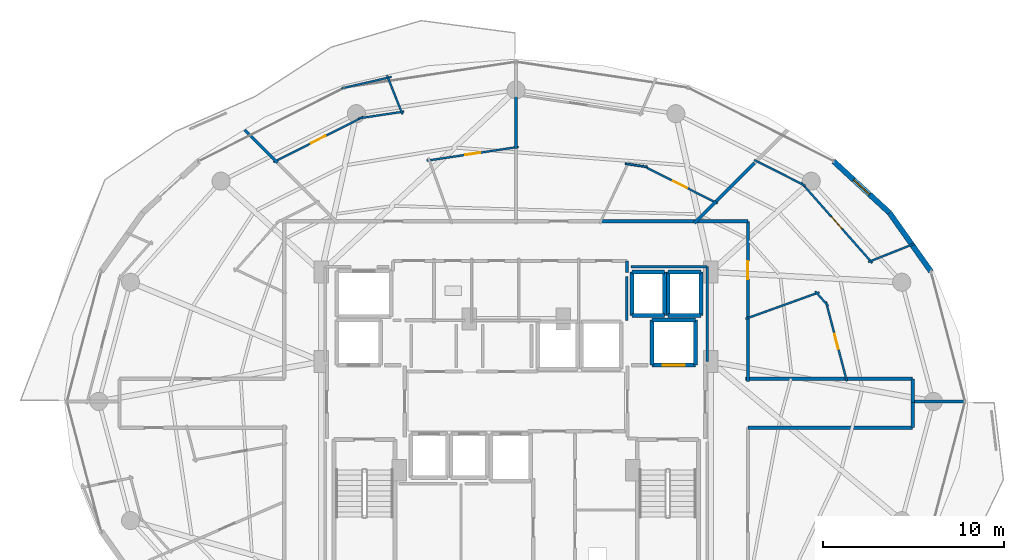
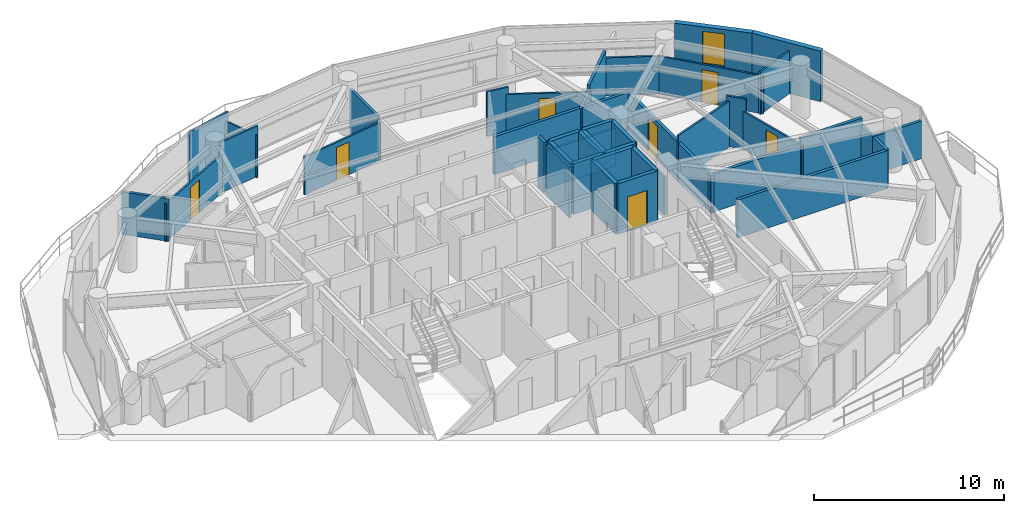
# One storey, part 26 of 31: 45 walls, 7 doors, 1 window, 8 openings.
"""IFC4 building model written with IfcOpenShell, lengths in metres."""

from ifc_helpers import new_model, si_unit, direction, frame, frame_2d, origin, place, context, subcontext, project, spatial, rectangle, extrude, material, layer, layer_set, type_object, element, fill, save


model = new_model("IFC4")

# Units and contexts
model_context = context("Model", 3, precision=1e-05, world=origin(), true_north=direction((0.0, 1.0)))
body_context = subcontext(model_context, "Body", "Model", "MODEL_VIEW")
ifc_project = project(units=[si_unit("LENGTHUNIT", "METRE"), si_unit("AREAUNIT", "SQUARE_METRE"), si_unit("VOLUMEUNIT", "CUBIC_METRE"), si_unit("PLANEANGLEUNIT", "RADIAN"), si_unit("MASSUNIT", "GRAM", prefix="KILO")], contexts=[model_context])

# Site, building, storey
site_placement = place(None, origin())
site = spatial("IfcSite", under=ifc_project, at=site_placement, CompositionType="ELEMENT")
building_placement = place(site_placement, origin())
building = spatial("IfcBuilding", under=site, at=building_placement, Name="Vorneva Point Tower", CompositionType="ELEMENT")
storey_placement = place(building_placement, frame((0.0, 0.0, 132.60009765625)))
storey = spatial("IfcBuildingStorey", under=building, at=storey_placement, Name="L35", CompositionType="ELEMENT", Elevation=132.60009765625)

# Wall, opening, door
ifc_material_1 = material(Name="Concrete B60 (C50/60)", Category="concrete")
ifc_layer_1 = layer(ifc_material_1, 0.5)
ifc_layer_set_1 = layer_set([ifc_layer_1], Name="Concrete B60 (C50/60)")
wall_type_1 = type_object("IfcWallType", Name="WL-CORE-500", PredefinedType="SHEAR", material=ifc_layer_set_1)
wall_1_placement = place(storey_placement, frame((45.5, 28.0, 0.0), z_axis=(0.0, 0.0, 1.0), x_axis=(1.0, 0.0, 0.0)))
wall_1 = element("IfcWall", 1, at=wall_1_placement, inside=storey, type_object=wall_type_1, Name="L35 Lift FFL2 Shaft Wall -Y", PredefinedType="SHEAR", context=body_context, shape_type="SweptSolid", body=[
    extrude(rectangle(XDim=2.39990234375, YDim=0.219970703125, at=frame_2d((1.199951171875, 0.0))), origin(), (0.0, 0.0, 1.0), 3.239990234375),
])
opening_1_placement = place(wall_1_placement, frame((0.60009765625, 0.0, 0.0)))
opening_1 = element("IfcOpeningElement", 2, at=opening_1_placement, cuts=wall_1, Name="Opening LD-02", PredefinedType="OPENING", context=body_context, shape_type="SweptSolid", body=[
    extrude(rectangle(XDim=1.199951171875, YDim=2.199951171875, at=frame_2d((0.60009765625, 1.10009765625))), frame((0.0, 0.125, 0.0), z_axis=(0.0, -1.0, 0.0), x_axis=(1.0, 0.0, 0.0)), (0.0, 0.0, 1.0), 0.249755859375),
])
ifc_material_2 = material(Name="Brushed stainless steel S304", Category="steel")
door_type_1 = type_object("IfcDoorType", Name="LD-FIRE-1200", OperationType="SLIDING_TO_LEFT", PredefinedType="DOOR", material=ifc_material_2)
door_1_placement = place(opening_1_placement, origin())
door_1 = element("IfcDoor", 3, at=door_1_placement, inside=storey, type_object=door_type_1, Name="L35 Lift FFL2 Sliding Landing Door", OperationType="SLIDING_TO_LEFT", OverallHeight=2.199951171875, OverallWidth=1.199951171875, PredefinedType="DOOR", context=body_context, shape_type="SweptSolid", body=[
    extrude(rectangle(XDim=1.199951171875, YDim=2.199951171875, at=frame_2d((0.60009765625, 1.10009765625))), frame((0.0, 0.02490234375, 0.0), z_axis=(0.0, -1.0, 0.0), x_axis=(1.0, 0.0, 0.0)), (0.0, 0.0, 1.0), 0.050048828125),
])
fill(opening_1, door_1)

# Walls
wall_2_placement = place(storey_placement, frame((47.89990234375, 28.0, 0.0), z_axis=(0.0, 0.0, 1.0), x_axis=(0.0, 1.0, 0.0)))
element("IfcWall", 4, at=wall_2_placement, inside=storey, type_object=wall_type_1, Name="L35 Lift FFL2 Shaft Wall +X", PredefinedType="SHEAR", context=body_context, shape_type="SweptSolid", body=[
    extrude(rectangle(XDim=2.5, YDim=0.219970703125, at=frame_2d((1.25, 0.0))), origin(), (0.0, 0.0, 1.0), 3.239990234375),
])
wall_3_placement = place(storey_placement, frame((47.89990234375, 30.5, 0.0), z_axis=(0.0, 0.0, 1.0), x_axis=(-1.0, 0.0, 0.0)))
element("IfcWall", 5, at=wall_3_placement, inside=storey, type_object=wall_type_1, Name="L35 Lift FFL2 Shaft Wall +Y", PredefinedType="SHEAR", context=body_context, shape_type="SweptSolid", body=[
    extrude(rectangle(XDim=2.39990234375, YDim=0.219970703125, at=frame_2d((1.199951171875, 0.0))), origin(), (0.0, 0.0, 1.0), 3.239990234375),
])
wall_4_placement = place(storey_placement, frame((45.5, 30.5, 0.0), z_axis=(0.0, 0.0, 1.0), x_axis=(0.0, -1.0, 0.0)))
element("IfcWall", 6, at=wall_4_placement, inside=storey, type_object=wall_type_1, Name="L35 Lift FFL2 Shaft Wall -X", PredefinedType="SHEAR", context=body_context, shape_type="SweptSolid", body=[
    extrude(rectangle(XDim=2.5, YDim=0.219970703125, at=frame_2d((1.25, 0.0))), origin(), (0.0, 0.0, 1.0), 3.239990234375),
])
ifc_material_3 = material(Name="Precast concrete B50 (C40/50)", Category="concrete")
ifc_layer_2 = layer(ifc_material_3, 0.300048828125)
ifc_layer_set_2 = layer_set([ifc_layer_2], Name="Precast concrete B50 (C40/50)")
wall_type_2 = type_object("IfcWallType", Name="WL-EXT-300", PredefinedType="STANDARD", material=ifc_layer_set_2)
wall_5_placement = place(storey_placement, frame((60.912109375, 33.17529296875, 0.0), z_axis=(0.0, 0.0, 1.0), x_axis=(-0.577269753207, 0.816553508371, 0.0)))
element("IfcWall", 7, at=wall_5_placement, inside=storey, type_object=wall_type_2, Name="L35 Pale-Metal Facade Spandrel Wall 02.1", PredefinedType="STANDARD", context=body_context, shape_type="SweptSolid", body=[
    extrude(rectangle(XDim=3.969970703125, YDim=0.300048828125, at=frame_2d((1.98486328125, 0.0))), origin(), (0.0, 0.0, 1.0), 3.239990234375),
])

# Wall, opening, window
wall_6_placement = place(storey_placement, frame((58.620361328125, 36.4169921875, 0.0), z_axis=(0.0, 0.0, 1.0), x_axis=(-0.735477154165, 0.677549522693, 0.0)))
wall_6 = element("IfcWall", 8, at=wall_6_placement, inside=storey, type_object=wall_type_2, Name="L35 Pale-Metal Facade Spandrel Wall 02.2", PredefinedType="STANDARD", context=body_context, shape_type="SweptSolid", body=[
    extrude(rectangle(XDim=4.193603515625, YDim=0.300048828125, at=frame_2d((2.0966796875, 0.0))), origin(), (0.0, 0.0, 1.0), 3.239990234375),
])
opening_2_placement = place(wall_6_placement, frame((1.496826171875, 0.0, 0.85009765625)))
opening_2 = element("IfcOpeningElement", 9, at=opening_2_placement, cuts=wall_6, Name="Opening W-04", PredefinedType="OPENING", context=body_context, shape_type="SweptSolid", body=[
    extrude(rectangle(XDim=1.199951171875, YDim=2.10009765625, at=frame_2d((0.60009765625, 1.050048828125))), frame((0.0, 0.1650390625, 0.0), z_axis=(0.0, -1.0, 0.0), x_axis=(1.0, 0.0, 0.0)), (0.0, 0.0, 1.0), 0.329833984375),
])
ifc_material_4 = material(Name="Double low-e laminated glass IGU", Category="glass")
window_type = type_object("IfcWindowType", Name="WN-RES-1200", PartitioningType="SINGLE_PANEL", PredefinedType="WINDOW", material=ifc_material_4)
window_placement = place(opening_2_placement, origin())
window = element("IfcWindow", 10, at=window_placement, inside=storey, type_object=window_type, Name="L35 Facade Window 02", OverallHeight=2.10009765625, OverallWidth=1.199951171875, PartitioningType="SINGLE_PANEL", PredefinedType="WINDOW", context=body_context, shape_type="SweptSolid", body=[
    extrude(rectangle(XDim=1.199951171875, YDim=2.10009765625, at=frame_2d((0.60009765625, 1.050048828125))), frame((0.0, 0.030029296875, 0.0), z_axis=(0.0, -1.0, 0.0), x_axis=(1.0, 0.0, 0.0)), (0.0, 0.0, 1.0), 0.06005859375),
])
fill(opening_2, window)

# Walls
ifc_material_5 = material(Name="Fire-rated acoustic gypsum stud partition", Category="gypsum")
ifc_layer_3 = layer(ifc_material_5, 0.110107421875)
ifc_layer_set_3 = layer_set([ifc_layer_3], Name="Fire-rated acoustic gypsum stud partition")
wall_type_3 = type_object("IfcWallType", Name="WL-PART-110", PredefinedType="PARTITIONING", material=ifc_layer_set_3)
wall_7_placement = place(storey_placement, frame((50.668212890625, 30.560546875, 0.0), z_axis=(0.0, 0.0, 1.0), x_axis=(0.94086224956, 0.33878935543, 0.0)))
element("IfcWall", 11, at=wall_7_placement, inside=storey, type_object=wall_type_3, Name="L35 Interior Partition 069", PredefinedType="PARTITIONING", context=body_context, shape_type="SweptSolid", body=[
    extrude(rectangle(XDim=4.32958984375, YDim=0.110107421875, at=frame_2d((2.164794921875, 0.0))), origin(), (0.0, 0.0, 1.0), 2.921875),
])
wall_8_placement = place(storey_placement, frame((54.517333984375, 32.0849609375, 0.0), z_axis=(0.0, 0.0, 1.0), x_axis=(0.661444121134, -0.749994449724, 0.0)))
element("IfcWall", 12, at=wall_8_placement, inside=storey, type_object=wall_type_3, Name="L35 Interior Partition 070", PredefinedType="PARTITIONING", context=body_context, shape_type="SweptSolid", body=[
    extrude(rectangle(XDim=1.091796875, YDim=0.110107421875, at=frame_2d((0.5458984375, 0.0))), origin(), (0.0, 0.0, 1.0), 3.239990234375),
])

# Wall, opening, door
wall_9_placement = place(storey_placement, frame((55.111328125, 31.50634765625, 0.0), z_axis=(0.0, 0.0, 1.0), x_axis=(0.254395386743, -0.96710029842, 0.0)))
wall_9 = element("IfcWall", 13, at=wall_9_placement, inside=storey, type_object=wall_type_3, Name="L35 Interior Partition 071", PredefinedType="PARTITIONING", context=body_context, shape_type="SweptSolid", body=[
    extrude(rectangle(XDim=4.541259765625, YDim=0.110107421875, at=frame_2d((2.2705078125, 0.0))), origin(), (0.0, 0.0, 1.0), 2.431884765625),
])
opening_3_placement = place(wall_9_placement, frame((1.845703125, 0.0, 0.0)))
opening_3 = element("IfcOpeningElement", 14, at=opening_3_placement, cuts=wall_9, Name="Opening ID-02", PredefinedType="OPENING", context=body_context, shape_type="SweptSolid", body=[
    extrude(rectangle(XDim=0.85009765625, YDim=2.10009765625, at=frame_2d((0.425048828125, 1.050048828125))), frame((0.0, 0.06982421875, 0.0), z_axis=(0.0, -1.0, 0.0), x_axis=(1.0, 0.0, 0.0)), (0.0, 0.0, 1.0), 0.139892578125),
])
ifc_material_6 = material(Name="Engineered oak fire-rated door leaf", Category="wood")
door_type_2 = type_object("IfcDoorType", Name="DR-BATH-850", OperationType="NOTDEFINED", PredefinedType="DOOR", material=ifc_material_6)
door_2_placement = place(opening_3_placement, origin())
door_2 = element("IfcDoor", 15, at=door_2_placement, inside=storey, type_object=door_type_2, Name="L35 Door Studio Apartment L35-01 / Bathroom L35-01", OperationType="SINGLE_SWING_LEFT", OverallHeight=2.10009765625, OverallWidth=0.85009765625, PredefinedType="DOOR", context=body_context, shape_type="SweptSolid", body=[
    extrude(rectangle(XDim=0.85009765625, YDim=2.10009765625, at=frame_2d((0.425048828125, 1.050048828125))), frame((0.0, 0.02490234375, 0.0), z_axis=(0.0, -1.0, 0.0), x_axis=(1.0, 0.0, 0.0)), (0.0, 0.0, 1.0), 0.050048828125),
])
fill(opening_3, door_2)

# Wall
wall_10_placement = place(storey_placement, frame((59.9931640625, 34.70751953125, 0.0), z_axis=(0.0, 0.0, 1.0), x_axis=(-0.92976723416, -0.368147919025, 0.0)))
element("IfcWall", 16, at=wall_10_placement, inside=storey, type_object=wall_type_3, Name="L35 Interior Partition 072", PredefinedType="PARTITIONING", context=body_context, shape_type="SweptSolid", body=[
    extrude(rectangle(XDim=2.74072265625, YDim=0.110107421875, at=frame_2d((1.370361328125, 0.0))), origin(), (0.0, 0.0, 1.0), 2.727783203125),
])

# Wall, opening, door
wall_11_placement = place(storey_placement, frame((57.667724609375, 33.64501953125, 0.0), z_axis=(0.0, 0.0, 1.0), x_axis=(-0.66214504072, 0.749375703536, 0.0)))
wall_11 = element("IfcWall", 17, at=wall_11_placement, inside=storey, type_object=wall_type_3, Name="L35 Interior Partition 073", PredefinedType="PARTITIONING", context=body_context, shape_type="SweptSolid", body=[
    extrude(rectangle(XDim=5.92236328125, YDim=0.110107421875, at=frame_2d((2.961181640625, 0.0))), origin(), (0.0, 0.0, 1.0), 2.431884765625),
])
opening_4_placement = place(wall_11_placement, frame((2.510986328125, 0.0, 0.0)))
opening_4 = element("IfcOpeningElement", 18, at=opening_4_placement, cuts=wall_11, Name="Opening ID-01", PredefinedType="OPENING", context=body_context, shape_type="SweptSolid", body=[
    extrude(rectangle(XDim=0.89990234375, YDim=2.10009765625, at=frame_2d((0.449951171875, 1.050048828125))), frame((0.0, 0.06982421875, 0.0), z_axis=(0.0, -1.0, 0.0), x_axis=(1.0, 0.0, 0.0)), (0.0, 0.0, 1.0), 0.139892578125),
])
door_type_3 = type_object("IfcDoorType", Name="DR-ROOM-900", OperationType="NOTDEFINED", PredefinedType="DOOR", material=ifc_material_6)
door_3_placement = place(opening_4_placement, origin())
door_3 = element("IfcDoor", 19, at=door_3_placement, inside=storey, type_object=door_type_3, Name="L35 Door Studio Apartment L35-01 / Kitchen L35-01", OperationType="SINGLE_SWING_RIGHT", OverallHeight=2.10009765625, OverallWidth=0.89990234375, PredefinedType="DOOR", context=body_context, shape_type="SweptSolid", body=[
    extrude(rectangle(XDim=0.89990234375, YDim=2.10009765625, at=frame_2d((0.449951171875, 1.050048828125))), frame((0.0, 0.02490234375, 0.0), z_axis=(0.0, -1.0, 0.0), x_axis=(1.0, 0.0, 0.0)), (0.0, 0.0, 1.0), 0.050048828125),
])
fill(opening_4, door_3)

# Walls
wall_12_placement = place(storey_placement, frame((53.964111328125, 37.914794921875, 0.0), z_axis=(0.0, 0.0, 1.0), x_axis=(-0.892546166909, 0.450956028828, 0.0)))
element("IfcWall", 20, at=wall_12_placement, inside=storey, type_object=wall_type_3, Name="L35 Interior Partition 074", PredefinedType="PARTITIONING", context=body_context, shape_type="SweptSolid", body=[
    extrude(rectangle(XDim=3.154052734375, YDim=0.110107421875, at=frame_2d((1.5771484375, 0.0))), origin(), (0.0, 0.0, 1.0), 2.431884765625),
])
wall_13_placement = place(storey_placement, frame((44.029541015625, 39.128662109375, 0.0), z_axis=(0.0, 0.0, 1.0), x_axis=(0.988983067014, -0.148028690329, 0.0)))
element("IfcWall", 21, at=wall_13_placement, inside=storey, type_object=wall_type_3, Name="L35 Interior Partition 080", PredefinedType="PARTITIONING", context=body_context, shape_type="SweptSolid", body=[
    extrude(rectangle(XDim=1.225341796875, YDim=0.110107421875, at=frame_2d((0.61279296875, 0.0))), origin(), (0.0, 0.0, 1.0), 2.8740234375),
])

# Wall, opening, door
wall_14_placement = place(storey_placement, frame((44.97802734375, 39.031005859375, 0.0), z_axis=(0.0, 0.0, 1.0), x_axis=(0.892495276856, -0.451056737882, 0.0)))
wall_14 = element("IfcWall", 22, at=wall_14_placement, inside=storey, type_object=wall_type_3, Name="L35 Interior Partition 081", PredefinedType="PARTITIONING", context=body_context, shape_type="SweptSolid", body=[
    extrude(rectangle(XDim=4.64501953125, YDim=0.110107421875, at=frame_2d((2.322509765625, 0.0))), origin(), (0.0, 0.0, 1.0), 2.431884765625),
])
opening_5_placement = place(wall_14_placement, frame((1.897705078125, 0.0, 0.0)))
opening_5 = element("IfcOpeningElement", 23, at=opening_5_placement, cuts=wall_14, Name="Opening ID-02", PredefinedType="OPENING", context=body_context, shape_type="SweptSolid", body=[
    extrude(rectangle(XDim=0.85009765625, YDim=2.10009765625, at=frame_2d((0.425048828125, 1.050048828125))), frame((0.0, 0.06982421875, 0.0), z_axis=(0.0, -1.0, 0.0), x_axis=(1.0, 0.0, 0.0)), (0.0, 0.0, 1.0), 0.139892578125),
])
door_4_placement = place(opening_5_placement, origin())
door_4 = element("IfcDoor", 24, at=door_4_placement, inside=storey, type_object=door_type_2, Name="L35 Door Studio Apartment L35-02 / Bathroom L35-02", OperationType="SINGLE_SWING_LEFT", OverallHeight=2.10009765625, OverallWidth=0.85009765625, PredefinedType="DOOR", context=body_context, shape_type="SweptSolid", body=[
    extrude(rectangle(XDim=0.85009765625, YDim=2.10009765625, at=frame_2d((0.425048828125, 1.050048828125))), frame((0.0, 0.02490234375, 0.0), z_axis=(0.0, -1.0, 0.0), x_axis=(1.0, 0.0, 0.0)), (0.0, 0.0, 1.0), 0.050048828125),
])
fill(opening_5, door_4)

wall_15_placement = place(storey_placement, frame((33.067626953125, 39.294189453125, 0.0), z_axis=(0.0, 0.0, 1.0), x_axis=(0.988876905643, 0.148736227888, 0.0)))
wall_15 = element("IfcWall", 25, at=wall_15_placement, inside=storey, type_object=wall_type_3, Name="L35 Interior Partition 088", PredefinedType="PARTITIONING", context=body_context, shape_type="SweptSolid", body=[
    extrude(rectangle(XDim=5.1279296875, YDim=0.110107421875, at=frame_2d((2.56396484375, 0.0))), origin(), (0.0, 0.0, 1.0), 2.431884765625),
])
opening_6_placement = place(wall_15_placement, frame((2.138916015625, 0.0, 0.0)))
opening_6 = element("IfcOpeningElement", 26, at=opening_6_placement, cuts=wall_15, Name="Opening ID-02", PredefinedType="OPENING", context=body_context, shape_type="SweptSolid", body=[
    extrude(rectangle(XDim=0.85009765625, YDim=2.10009765625, at=frame_2d((0.425048828125, 1.050048828125))), frame((0.0, 0.06982421875, 0.0), z_axis=(0.0, -1.0, 0.0), x_axis=(1.0, 0.0, 0.0)), (0.0, 0.0, 1.0), 0.139892578125),
])
door_5_placement = place(opening_6_placement, origin())
door_5 = element("IfcDoor", 27, at=door_5_placement, inside=storey, type_object=door_type_2, Name="L35 Door Studio Apartment L35-03 / Bathroom L35-03", OperationType="SINGLE_SWING_LEFT", OverallHeight=2.10009765625, OverallWidth=0.85009765625, PredefinedType="DOOR", context=body_context, shape_type="SweptSolid", body=[
    extrude(rectangle(XDim=0.85009765625, YDim=2.10009765625, at=frame_2d((0.425048828125, 1.050048828125))), frame((0.0, 0.02490234375, 0.0), z_axis=(0.0, -1.0, 0.0), x_axis=(1.0, 0.0, 0.0)), (0.0, 0.0, 1.0), 0.050048828125),
])
fill(opening_6, door_5)

# Walls
wall_16_placement = place(storey_placement, frame((30.87158203125, 44.005126953125, 0.0), z_axis=(0.0, 0.0, 1.0), x_axis=(0.368016079814, -0.929819426017, 0.0)))
element("IfcWall", 28, at=wall_16_placement, inside=storey, type_object=wall_type_3, Name="L35 Interior Partition 089", PredefinedType="PARTITIONING", context=body_context, shape_type="SweptSolid", body=[
    extrude(rectangle(XDim=2.309326171875, YDim=0.110107421875, at=frame_2d((1.15478515625, 0.0))), origin(), (0.0, 0.0, 1.0), 2.727783203125),
])
wall_17_placement = place(storey_placement, frame((31.808349609375, 42.0087890625, 0.0), z_axis=(0.0, 0.0, 1.0), x_axis=(-0.988887788943, -0.148663851958, 0.0)))
element("IfcWall", 29, at=wall_17_placement, inside=storey, type_object=wall_type_3, Name="L35 Interior Partition 090", PredefinedType="PARTITIONING", context=body_context, shape_type="SweptSolid", body=[
    extrude(rectangle(XDim=2.547119140625, YDim=0.110107421875, at=frame_2d((1.2734375, 0.0))), origin(), (0.0, 0.0, 1.0), 3.239990234375),
])

# Wall, opening, door
wall_18_placement = place(storey_placement, frame((29.552978515625, 41.714111328125, 0.0), z_axis=(0.0, 0.0, 1.0), x_axis=(-0.892438454993, -0.451169152369, 0.0)))
wall_18 = element("IfcWall", 30, at=wall_18_placement, inside=storey, type_object=wall_type_3, Name="L35 Interior Partition 091", PredefinedType="PARTITIONING", context=body_context, shape_type="SweptSolid", body=[
    extrude(rectangle(XDim=5.548828125, YDim=0.110107421875, at=frame_2d((2.7744140625, 0.0))), origin(), (0.0, 0.0, 1.0), 2.431884765625),
])
opening_7_placement = place(wall_18_placement, frame((2.32421875, 0.0, 0.0)))
opening_7 = element("IfcOpeningElement", 31, at=opening_7_placement, cuts=wall_18, Name="Opening ID-01", PredefinedType="OPENING", context=body_context, shape_type="SweptSolid", body=[
    extrude(rectangle(XDim=0.89990234375, YDim=2.10009765625, at=frame_2d((0.449951171875, 1.050048828125))), frame((0.0, 0.06982421875, 0.0), z_axis=(0.0, -1.0, 0.0), x_axis=(1.0, 0.0, 0.0)), (0.0, 0.0, 1.0), 0.139892578125),
])
door_6_placement = place(opening_7_placement, origin())
door_6 = element("IfcDoor", 32, at=door_6_placement, inside=storey, type_object=door_type_3, Name="L35 Door Studio Apartment L35-03 / Kitchen L35-03", OperationType="SINGLE_SWING_RIGHT", OverallHeight=2.10009765625, OverallWidth=0.89990234375, PredefinedType="DOOR", context=body_context, shape_type="SweptSolid", body=[
    extrude(rectangle(XDim=0.89990234375, YDim=2.10009765625, at=frame_2d((0.449951171875, 1.050048828125))), frame((0.0, 0.02490234375, 0.0), z_axis=(0.0, -1.0, 0.0), x_axis=(1.0, 0.0, 0.0)), (0.0, 0.0, 1.0), 0.050048828125),
])
fill(opening_7, door_6)

# Walls
wall_19_placement = place(storey_placement, frame((31.118408203125, 43.92041015625, 0.0), z_axis=(0.0, 0.0, 1.0), x_axis=(-0.974594373263, -0.223977247963, 0.0)))
element("IfcWall", 33, at=wall_19_placement, inside=storey, type_object=wall_type_3, Name="L35 Interior Partition 092", PredefinedType="PARTITIONING", context=body_context, shape_type="SweptSolid", body=[
    extrude(rectangle(XDim=2.82958984375, YDim=0.110107421875, at=frame_2d((1.414794921875, 0.0))), origin(), (0.0, 0.0, 1.0), 3.239990234375),
])
ifc_layer_4 = layer(ifc_material_5, 0.139892578125)
ifc_layer_set_4 = layer_set([ifc_layer_4], Name="Fire-rated acoustic gypsum stud partition")
wall_type_4 = type_object("IfcWallType", Name="WL-PART-140", PredefinedType="PARTITIONING", material=ifc_layer_set_4)
wall_20_placement = place(storey_placement, frame((44.1201171875, 30.47998046875, 0.0), z_axis=(0.0, 0.0, 1.0), x_axis=(0.0, 1.0, 0.0)))
element("IfcWall", 34, at=wall_20_placement, inside=storey, type_object=wall_type_4, Name="L35 Interior Closure Partition 138", PredefinedType="PARTITIONING", context=body_context, shape_type="SweptSolid", body=[
    extrude(rectangle(XDim=2.409912109375, YDim=0.139892578125, at=frame_2d((1.205078125, 0.0))), origin(), (0.0, 0.0, 1.0), 3.239990234375),
])
wall_21_placement = place(storey_placement, frame((48.550048828125, 28.196044921875, 0.0), z_axis=(0.0, 0.0, 1.0), x_axis=(0.0, 1.0, 0.0)))
element("IfcWall", 35, at=wall_21_placement, inside=storey, type_object=wall_type_4, Name="L35 Interior Closure Partition 145", PredefinedType="PARTITIONING", context=body_context, shape_type="SweptSolid", body=[
    extrude(rectangle(XDim=5.25390625, YDim=0.139892578125, at=frame_2d((2.626953125, 0.0))), origin(), (0.0, 0.0, 1.0), 2.431884765625),
])
wall_22_placement = place(storey_placement, frame((48.550048828125, 33.449951171875, 0.0), z_axis=(0.0, 0.0, 1.0), x_axis=(-1.0, 0.0, 0.0)))
element("IfcWall", 36, at=wall_22_placement, inside=storey, type_object=wall_type_4, Name="L35 Interior Closure Partition 146", PredefinedType="PARTITIONING", context=body_context, shape_type="SweptSolid", body=[
    extrude(rectangle(XDim=4.2099609375, YDim=0.139892578125, at=frame_2d((2.10498046875, 0.0))), origin(), (0.0, 0.0, 1.0), 2.431884765625),
])
ifc_layer_5 = layer(ifc_material_5, 0.159912109375)
ifc_layer_set_5 = layer_set([ifc_layer_5], Name="Fire-rated acoustic gypsum stud partition")
wall_type_5 = type_object("IfcWallType", Name="WL-PART-160", PredefinedType="PARTITIONING", material=ifc_layer_set_5)
wall_23_placement = place(storey_placement, frame((51.27392578125, 39.27392578125, 0.0), z_axis=(0.0, 0.0, 1.0), x_axis=(-0.707106781187, -0.707106781187, 0.0)))
element("IfcWall", 37, at=wall_23_placement, inside=storey, type_object=wall_type_5, Name="L35 Interior Partition 075", PredefinedType="PARTITIONING", context=body_context, shape_type="SweptSolid", body=[
    extrude(rectangle(XDim=3.28076171875, YDim=0.159912109375, at=frame_2d((1.640380859375, 0.0))), origin(), (0.0, 0.0, 1.0), 2.8740234375),
])
wall_24_placement = place(storey_placement, frame((49.052978515625, 37.052978515625, 0.0), z_axis=(0.0, 0.0, 1.0), x_axis=(-0.707106781187, -0.707106781187, 0.0)))
element("IfcWall", 38, at=wall_24_placement, inside=storey, type_object=wall_type_5, Name="L35 Interior Partition 076", PredefinedType="PARTITIONING", context=body_context, shape_type="SweptSolid", body=[
    extrude(rectangle(XDim=1.69970703125, YDim=0.159912109375, at=frame_2d((0.849853515625, 0.0))), origin(), (0.0, 0.0, 1.0), 2.431884765625),
])
wall_25_placement = place(storey_placement, frame((59.89990234375, 26.0, 0.0), z_axis=(0.0, 0.0, 1.0), x_axis=(1.0, 0.0, 0.0)))
element("IfcWall", 39, at=wall_25_placement, inside=storey, type_object=wall_type_5, Name="L35 Interior Partition 077", PredefinedType="PARTITIONING", context=body_context, shape_type="SweptSolid", body=[
    extrude(rectangle(XDim=2.899169921875, YDim=0.159912109375, at=frame_2d((1.44970703125, 0.0))), origin(), (0.0, 0.0, 1.0), 2.431884765625),
])
wall_26_placement = place(storey_placement, frame((38.0, 42.93994140625, 0.0), z_axis=(0.0, 0.0, 1.0), x_axis=(0.0, -1.0, 0.0)))
element("IfcWall", 40, at=wall_26_placement, inside=storey, type_object=wall_type_5, Name="L35 Interior Partition 084", PredefinedType="PARTITIONING", context=body_context, shape_type="SweptSolid", body=[
    extrude(rectangle(XDim=2.96484375, YDim=0.159912109375, at=frame_2d((1.482421875, 0.0))), origin(), (0.0, 0.0, 1.0), 2.8740234375),
])
wall_27_placement = place(storey_placement, frame((23.006103515625, 40.993896484375, 0.0), z_axis=(0.0, 0.0, 1.0), x_axis=(0.707106781187, -0.707106781187, 0.0)))
element("IfcWall", 41, at=wall_27_placement, inside=storey, type_object=wall_type_5, Name="L35 Interior Partition 095", PredefinedType="PARTITIONING", context=body_context, shape_type="SweptSolid", body=[
    extrude(rectangle(XDim=2.572265625, YDim=0.159912109375, at=frame_2d((1.2861328125, 0.0))), origin(), (0.0, 0.0, 1.0), 2.727783203125),
])
ifc_material_7 = material(Name="Autoclaved aerated concrete blockwork", Category="masonry")
ifc_layer_6 = layer(ifc_material_7, 0.179931640625)
ifc_layer_set_6 = layer_set([ifc_layer_6], Name="Autoclaved aerated concrete blockwork")
wall_type_6 = type_object("IfcWallType", Name="WL-PART-180", PredefinedType="PARTITIONING", material=ifc_layer_set_6)
wall_28_placement = place(storey_placement, frame((44.1201171875, 33.110107421875, 0.0), z_axis=(0.0, 0.0, 1.0), x_axis=(0.0, 1.0, 0.0)))
element("IfcWall", 42, at=wall_28_placement, inside=storey, type_object=wall_type_6, Name="L35 Interior Partition 030", PredefinedType="PARTITIONING", context=body_context, shape_type="SweptSolid", body=[
    extrude(rectangle(XDim=0.64990234375, YDim=0.179931640625, at=frame_2d((0.324951171875, 0.0))), origin(), (0.0, 0.0, 1.0), 3.239990234375),
])
wall_29_placement = place(storey_placement, frame((59.89990234375, 25.93994140625, 0.0), z_axis=(0.0, 0.0, 1.0), x_axis=(0.0, 1.0, 0.0)))
element("IfcWall", 43, at=wall_29_placement, inside=storey, type_object=wall_type_6, Name="L35 Interior Partition 034", PredefinedType="PARTITIONING", context=body_context, shape_type="SweptSolid", body=[
    extrude(rectangle(XDim=1.31005859375, YDim=0.179931640625, at=frame_2d((0.655029296875, 0.0))), origin(), (0.0, 0.0, 1.0), 2.431884765625),
])
wall_30_placement = place(storey_placement, frame((59.89990234375, 27.25, 0.0), z_axis=(0.0, 0.0, 1.0), x_axis=(-1.0, 0.0, 0.0)))
element("IfcWall", 44, at=wall_30_placement, inside=storey, type_object=wall_type_6, Name="L35 Interior Partition 035", PredefinedType="PARTITIONING", context=body_context, shape_type="SweptSolid", body=[
    extrude(rectangle(XDim=3.73095703125, YDim=0.179931640625, at=frame_2d((1.865478515625, 0.0))), origin(), (0.0, 0.0, 1.0), 2.8740234375),
])

# Wall, opening, door
wall_31_placement = place(storey_placement, frame((50.800048828125, 30.548095703125, 0.0), z_axis=(0.0, 0.0, 1.0), x_axis=(0.0, 1.0, 0.0)))
wall_31 = element("IfcWall", 45, at=wall_31_placement, inside=storey, type_object=wall_type_6, Name="L35 Interior Partition 036", PredefinedType="PARTITIONING", context=body_context, shape_type="SweptSolid", body=[
    extrude(rectangle(XDim=5.40185546875, YDim=0.179931640625, at=frame_2d((2.700927734375, 0.0))), origin(), (0.0, 0.0, 1.0), 2.431884765625),
])
opening_8_placement = place(wall_31_placement, frame((2.200927734375, 0.0, 0.0)))
opening_8 = element("IfcOpeningElement", 46, at=opening_8_placement, cuts=wall_31, Name="Opening UD-01", PredefinedType="OPENING", context=body_context, shape_type="SweptSolid", body=[
    extrude(rectangle(XDim=1.0, YDim=2.14990234375, at=frame_2d((0.5, 1.074951171875))), frame((0.0, 0.10498046875, 0.0), z_axis=(0.0, -1.0, 0.0), x_axis=(1.0, 0.0, 0.0)), (0.0, 0.0, 1.0), 0.209716796875),
])
door_type_4 = type_object("IfcDoorType", Name="DR-UNIT-1000", OperationType="NOTDEFINED", PredefinedType="DOOR", material=ifc_material_6)
door_7_placement = place(opening_8_placement, origin())
door_7 = element("IfcDoor", 47, at=door_7_placement, inside=storey, type_object=door_type_4, Name="L35 Door L35 Circulation Corridor / Studio Apartment L35-01", OperationType="SINGLE_SWING_LEFT", OverallHeight=2.14990234375, OverallWidth=1.0, PredefinedType="DOOR", context=body_context, shape_type="SweptSolid", body=[
    extrude(rectangle(XDim=1.0, YDim=2.14990234375, at=frame_2d((0.5, 1.074951171875))), frame((0.0, 0.02490234375, 0.0), z_axis=(0.0, -1.0, 0.0), x_axis=(1.0, 0.0, 0.0)), (0.0, 0.0, 1.0), 0.050048828125),
])
fill(opening_8, door_7)

# Walls
wall_32_placement = place(storey_placement, frame((50.800048828125, 35.949951171875, 0.0), z_axis=(0.0, 0.0, 1.0), x_axis=(-1.0, 0.0, 0.0)))
element("IfcWall", 48, at=wall_32_placement, inside=storey, type_object=wall_type_6, Name="L35 Interior Partition 037", PredefinedType="PARTITIONING", context=body_context, shape_type="SweptSolid", body=[
    extrude(rectangle(XDim=2.91015625, YDim=0.179931640625, at=frame_2d((1.455078125, 0.0))), origin(), (0.0, 0.0, 1.0), 2.431884765625),
])
wall_33_placement = place(storey_placement, frame((56.30908203125, 27.25, 0.0), z_axis=(0.0, 0.0, 1.0), x_axis=(-1.0, 0.0, 0.0)))
element("IfcWall", 49, at=wall_33_placement, inside=storey, type_object=wall_type_6, Name="L35 Interior Partition 038", PredefinedType="PARTITIONING", context=body_context, shape_type="SweptSolid", body=[
    extrude(rectangle(XDim=5.649169921875, YDim=0.179931640625, at=frame_2d((2.82470703125, 0.0))), origin(), (0.0, 0.0, 1.0), 2.431884765625),
])
wall_34_placement = place(storey_placement, frame((50.800048828125, 27.110107421875, 0.0), z_axis=(0.0, 0.0, 1.0), x_axis=(0.0, 1.0, 0.0)))
element("IfcWall", 50, at=wall_34_placement, inside=storey, type_object=wall_type_6, Name="L35 Interior Partition 039", PredefinedType="PARTITIONING", context=body_context, shape_type="SweptSolid", body=[
    extrude(rectangle(XDim=3.577880859375, YDim=0.179931640625, at=frame_2d((1.7890625, 0.0))), origin(), (0.0, 0.0, 1.0), 2.431884765625),
])
wall_35_placement = place(storey_placement, frame((48.030029296875, 35.949951171875, 0.0), z_axis=(0.0, 0.0, 1.0), x_axis=(-1.0, 0.0, 0.0)))
element("IfcWall", 51, at=wall_35_placement, inside=storey, type_object=wall_type_6, Name="L35 Interior Partition 041", PredefinedType="PARTITIONING", context=body_context, shape_type="SweptSolid", body=[
    extrude(rectangle(XDim=5.422119140625, YDim=0.179931640625, at=frame_2d((2.7109375, 0.0))), origin(), (0.0, 0.0, 1.0), 2.431884765625),
])
wall_36_placement = place(storey_placement, frame((50.800048828125, 24.550048828125, 0.0), z_axis=(0.0, 0.0, 1.0), x_axis=(1.0, 0.0, 0.0)))
element("IfcWall", 52, at=wall_36_placement, inside=storey, type_object=wall_type_6, Name="L35 Interior Partition 067", PredefinedType="PARTITIONING", context=body_context, shape_type="SweptSolid", body=[
    extrude(rectangle(XDim=9.099853515625, YDim=0.179931640625, at=frame_2d((4.5498046875, 0.0))), origin(), (0.0, 0.0, 1.0), 2.431884765625),
])
wall_37_placement = place(storey_placement, frame((59.89990234375, 24.550048828125, 0.0), z_axis=(0.0, 0.0, 1.0), x_axis=(0.0, 1.0, 0.0)))
element("IfcWall", 53, at=wall_37_placement, inside=storey, type_object=wall_type_6, Name="L35 Interior Partition 068", PredefinedType="PARTITIONING", context=body_context, shape_type="SweptSolid", body=[
    extrude(rectangle(XDim=1.389892578125, YDim=0.179931640625, at=frame_2d((0.69482421875, 0.0))), origin(), (0.0, 0.0, 1.0), 2.431884765625),
])
ifc_material_8 = material(Name="Concrete B50 (C40/50)", Category="concrete")
ifc_layer_7 = layer(ifc_material_8, 0.219970703125)
ifc_layer_set_7 = layer_set([ifc_layer_7], Name="Concrete B50 (C40/50)")
wall_type_7 = type_object("IfcWallType", Name="WL-SHFT-220", PredefinedType="SOLIDWALL", material=ifc_layer_set_7)
wall_38_placement = place(storey_placement, frame((44.39990234375, 30.739990234375, 0.0), z_axis=(0.0, 0.0, 1.0), x_axis=(1.0, 0.0, 0.0)))
element("IfcWall", 54, at=wall_38_placement, inside=storey, type_object=wall_type_7, Name="L35 Lift EX1 Shaft Wall -Y", PredefinedType="SOLIDWALL", context=body_context, shape_type="SweptSolid", body=[
    extrude(rectangle(XDim=1.800048828125, YDim=0.219970703125, at=frame_2d((0.89990234375, 0.0))), origin(), (0.0, 0.0, 1.0), 3.239990234375),
])
wall_39_placement = place(storey_placement, frame((46.199951171875, 30.739990234375, 0.0), z_axis=(0.0, 0.0, 1.0), x_axis=(0.0, 1.0, 0.0)))
element("IfcWall", 55, at=wall_39_placement, inside=storey, type_object=wall_type_7, Name="L35 Lift EX1 Shaft Wall +X", PredefinedType="SOLIDWALL", context=body_context, shape_type="SweptSolid", body=[
    extrude(rectangle(XDim=2.419921875, YDim=0.219970703125, at=frame_2d((1.2099609375, 0.0))), origin(), (0.0, 0.0, 1.0), 3.239990234375),
])
wall_40_placement = place(storey_placement, frame((46.199951171875, 33.159912109375, 0.0), z_axis=(0.0, 0.0, 1.0), x_axis=(-1.0, 0.0, 0.0)))
element("IfcWall", 56, at=wall_40_placement, inside=storey, type_object=wall_type_7, Name="L35 Lift EX1 Shaft Wall +Y", PredefinedType="SOLIDWALL", context=body_context, shape_type="SweptSolid", body=[
    extrude(rectangle(XDim=1.800048828125, YDim=0.219970703125, at=frame_2d((0.89990234375, 0.0))), origin(), (0.0, 0.0, 1.0), 3.239990234375),
])
wall_41_placement = place(storey_placement, frame((44.39990234375, 33.159912109375, 0.0), z_axis=(0.0, 0.0, 1.0), x_axis=(0.0, -1.0, 0.0)))
element("IfcWall", 57, at=wall_41_placement, inside=storey, type_object=wall_type_7, Name="L35 Lift EX1 Shaft Wall -X", PredefinedType="SOLIDWALL", context=body_context, shape_type="SweptSolid", body=[
    extrude(rectangle(XDim=2.419921875, YDim=0.219970703125, at=frame_2d((1.2099609375, 0.0))), origin(), (0.0, 0.0, 1.0), 3.239990234375),
])
wall_42_placement = place(storey_placement, frame((46.39990234375, 30.739990234375, 0.0), z_axis=(0.0, 0.0, 1.0), x_axis=(1.0, 0.0, 0.0)))
element("IfcWall", 58, at=wall_42_placement, inside=storey, type_object=wall_type_7, Name="L35 Lift EX2 Shaft Wall -Y", PredefinedType="SOLIDWALL", context=body_context, shape_type="SweptSolid", body=[
    extrude(rectangle(XDim=1.800048828125, YDim=0.219970703125, at=frame_2d((0.89990234375, 0.0))), origin(), (0.0, 0.0, 1.0), 3.239990234375),
])
wall_43_placement = place(storey_placement, frame((48.199951171875, 30.739990234375, 0.0), z_axis=(0.0, 0.0, 1.0), x_axis=(0.0, 1.0, 0.0)))
element("IfcWall", 59, at=wall_43_placement, inside=storey, type_object=wall_type_7, Name="L35 Lift EX2 Shaft Wall +X", PredefinedType="SOLIDWALL", context=body_context, shape_type="SweptSolid", body=[
    extrude(rectangle(XDim=2.419921875, YDim=0.219970703125, at=frame_2d((1.2099609375, 0.0))), origin(), (0.0, 0.0, 1.0), 3.239990234375),
])
wall_44_placement = place(storey_placement, frame((48.199951171875, 33.159912109375, 0.0), z_axis=(0.0, 0.0, 1.0), x_axis=(-1.0, 0.0, 0.0)))
element("IfcWall", 60, at=wall_44_placement, inside=storey, type_object=wall_type_7, Name="L35 Lift EX2 Shaft Wall +Y", PredefinedType="SOLIDWALL", context=body_context, shape_type="SweptSolid", body=[
    extrude(rectangle(XDim=1.800048828125, YDim=0.219970703125, at=frame_2d((0.89990234375, 0.0))), origin(), (0.0, 0.0, 1.0), 3.239990234375),
])
wall_45_placement = place(storey_placement, frame((46.39990234375, 33.159912109375, 0.0), z_axis=(0.0, 0.0, 1.0), x_axis=(0.0, -1.0, 0.0)))
element("IfcWall", 61, at=wall_45_placement, inside=storey, type_object=wall_type_7, Name="L35 Lift EX2 Shaft Wall -X", PredefinedType="SOLIDWALL", context=body_context, shape_type="SweptSolid", body=[
    extrude(rectangle(XDim=2.419921875, YDim=0.219970703125, at=frame_2d((1.2099609375, 0.0))), origin(), (0.0, 0.0, 1.0), 3.239990234375),
])

save(model, "model.ifc")
